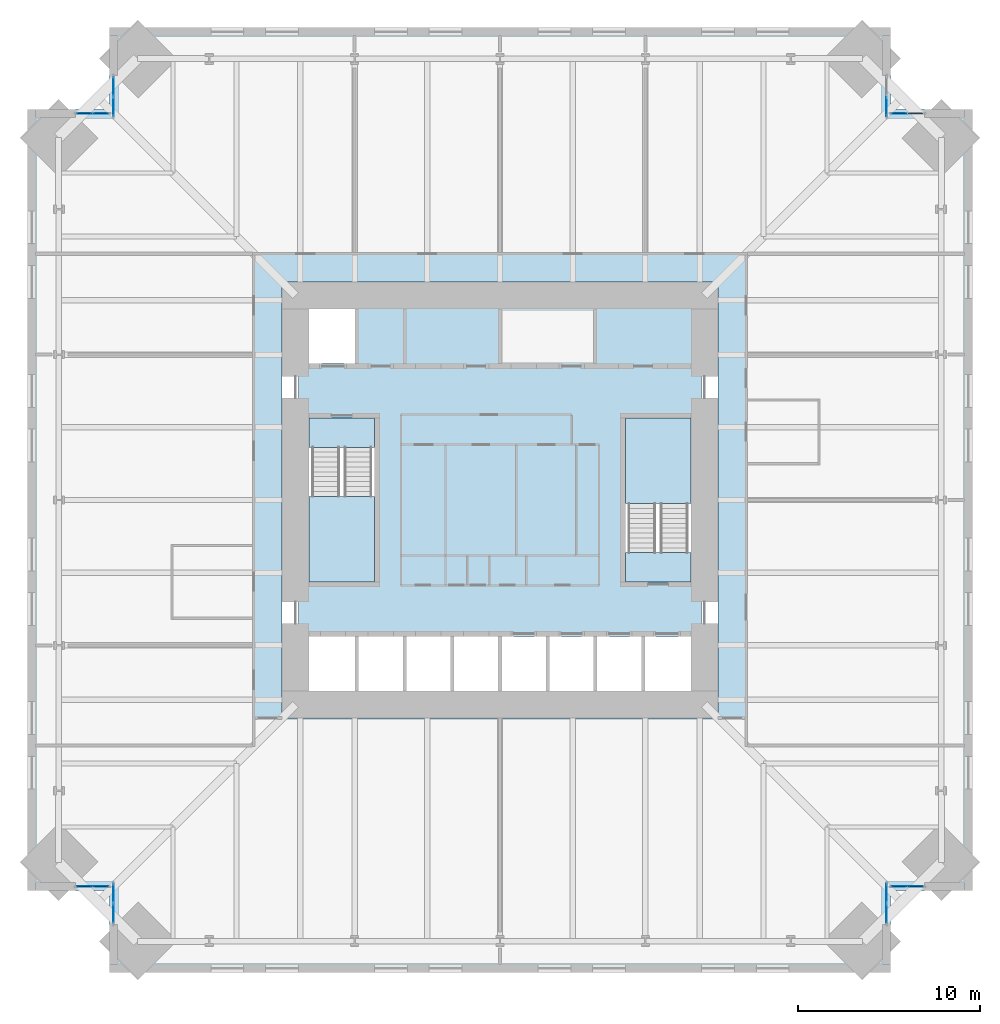
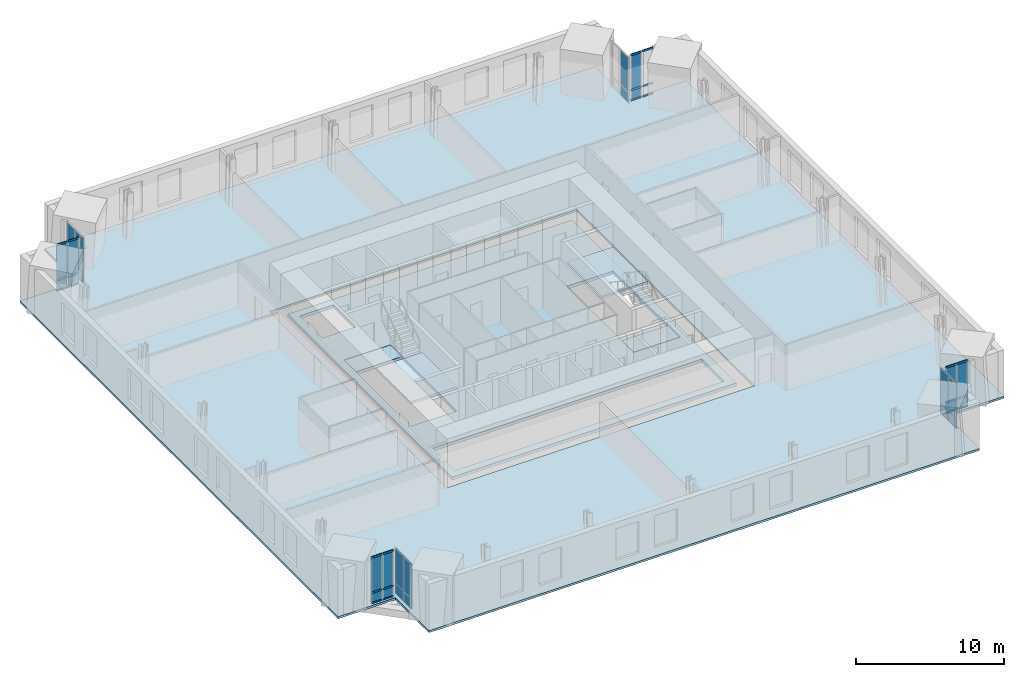
# One storey, part 12 of 18: 28 plates, 24 members, 6 slabs, 10 elements without a shape of their own.
"""IFC4 building model written with IfcOpenShell, lengths in metres."""

from ifc_helpers import new_model, si_unit, direction, frame, origin, origin_2d, place, context, subcontext, project, spatial, polyline, rectangle, hollow_rectangle, outline, extrude, material, layer, layer_set, material_profile, profile_set, type_object, element, aggregate, save


model = new_model("IFC4")

# Units and contexts
model_context = context("Model", 3, precision=1e-05, world=origin(), true_north=direction((0.0, 1.0)))
body_context = subcontext(model_context, "Body", "Model", "MODEL_VIEW")
ifc_project = project(units=[si_unit("LENGTHUNIT", "METRE"), si_unit("AREAUNIT", "SQUARE_METRE"), si_unit("VOLUMEUNIT", "CUBIC_METRE"), si_unit("PLANEANGLEUNIT", "RADIAN"), si_unit("MASSUNIT", "GRAM", prefix="KILO")], contexts=[model_context])

# Site, building, storey
site_placement = place(None, origin())
site = spatial("IfcSite", under=ifc_project, at=site_placement, CompositionType="ELEMENT")
building_placement = place(site_placement, origin())
building = spatial("IfcBuilding", under=site, at=building_placement, Name="Peilmerk Tower", CompositionType="ELEMENT")
storey_placement = place(building_placement, frame((0.0, 0.0, 163.800048828125)))
storey = spatial("IfcBuildingStorey", under=building, at=storey_placement, Name="L34", CompositionType="ELEMENT", Elevation=163.800048828125)

# Curtain wall, members
ifc_material_1 = material(Name="Aluminium stick curtain wall", Category="aluminium")
curtain_wall_type = type_object("IfcCurtainWallType", Name="CW3 stick curtain wall, 2250 module", PredefinedType="NOTDEFINED", material=ifc_material_1)
curtain_wall_1_placement = place(storey_placement, origin())
curtain_wall_1 = element("IfcCurtainWall", 1, at=curtain_wall_1_placement, inside=storey, type_object=curtain_wall_type, Name="Curtain wall CW3 NEB L34", PredefinedType="NOTDEFINED")
ifc_material_2 = material(Name="Aluminium EN AW-6063 T6", Category="aluminium")
ifc_material_profile = material_profile(ifc_material_2, hollow_rectangle(XDim=0.06494140625, YDim=0.14990234375, WallThickness=0.0029296875, at=origin_2d()), Name="AL 150x65x3")
ifc_profile_set = profile_set([ifc_material_profile], Name="Aluminium EN AW-6063 T6")
member_type = type_object("IfcMemberType", Name="CW3-T AL 150x65x3 transom", PredefinedType="USERDEFINED", material=ifc_profile_set)
member_1_placement = place(storey_placement, frame((21.56494140625, 21.27490234375, 0.032470703125), z_axis=(1.0, 0.0, 0.0), x_axis=(0.0, 1.0, 0.0)))
member_1 = element("IfcMember", 2, at=member_1_placement, type_object=member_type, Name="CW3 transom 1.1", ObjectType="TRANSOM", PredefinedType="USERDEFINED", context=body_context, shape_type="SweptSolid", body=[
    extrude(hollow_rectangle(XDim=0.06494140625, YDim=0.14990234375, WallThickness=0.0029296875, at=origin_2d()), origin(), (0.0, 0.0, 1.0), 0.82177734375),
])
member_2_placement = place(storey_placement, frame((21.56494140625, 21.27490234375, 0.89990234375), z_axis=(1.0, 0.0, 0.0), x_axis=(0.0, 1.0, 0.0)))
member_2 = element("IfcMember", 3, at=member_2_placement, type_object=member_type, Name="CW3 transom 1.2", ObjectType="TRANSOM", PredefinedType="USERDEFINED", context=body_context, shape_type="SweptSolid", body=[
    extrude(hollow_rectangle(XDim=0.06494140625, YDim=0.14990234375, WallThickness=0.0029296875, at=origin_2d()), origin(), (0.0, 0.0, 1.0), 0.82177734375),
])
member_3_placement = place(storey_placement, frame((21.56494140625, 21.27490234375, 3.79736328125), z_axis=(1.0, 0.0, 0.0), x_axis=(0.0, 1.0, 0.0)))
member_3 = element("IfcMember", 4, at=member_3_placement, type_object=member_type, Name="CW3 transom 1.3", ObjectType="TRANSOM", PredefinedType="USERDEFINED", context=body_context, shape_type="SweptSolid", body=[
    extrude(hollow_rectangle(XDim=0.06494140625, YDim=0.14990234375, WallThickness=0.0029296875, at=origin_2d()), origin(), (0.0, 0.0, 1.0), 0.82177734375),
])
member_4_placement = place(storey_placement, frame((22.451904296875, 21.27490234375, 0.032470703125), z_axis=(1.0, 0.0, 0.0), x_axis=(0.0, 1.0, 0.0)))
member_4 = element("IfcMember", 5, at=member_4_placement, type_object=member_type, Name="CW3 transom 2.1", ObjectType="TRANSOM", PredefinedType="USERDEFINED", context=body_context, shape_type="SweptSolid", body=[
    extrude(hollow_rectangle(XDim=0.06494140625, YDim=0.14990234375, WallThickness=0.0029296875, at=origin_2d()), origin(), (0.0, 0.0, 1.0), 0.82177734375),
])
member_5_placement = place(storey_placement, frame((22.451904296875, 21.27490234375, 0.89990234375), z_axis=(1.0, 0.0, 0.0), x_axis=(0.0, 1.0, 0.0)))
member_5 = element("IfcMember", 6, at=member_5_placement, type_object=member_type, Name="CW3 transom 2.2", ObjectType="TRANSOM", PredefinedType="USERDEFINED", context=body_context, shape_type="SweptSolid", body=[
    extrude(hollow_rectangle(XDim=0.06494140625, YDim=0.14990234375, WallThickness=0.0029296875, at=origin_2d()), origin(), (0.0, 0.0, 1.0), 0.82177734375),
])
member_6_placement = place(storey_placement, frame((22.451904296875, 21.27490234375, 3.79736328125), z_axis=(1.0, 0.0, 0.0), x_axis=(0.0, 1.0, 0.0)))
member_6 = element("IfcMember", 7, at=member_6_placement, type_object=member_type, Name="CW3 transom 2.3", ObjectType="TRANSOM", PredefinedType="USERDEFINED", context=body_context, shape_type="SweptSolid", body=[
    extrude(hollow_rectangle(XDim=0.06494140625, YDim=0.14990234375, WallThickness=0.0029296875, at=origin_2d()), origin(), (0.0, 0.0, 1.0), 0.82177734375),
])

curtain_wall_2_placement = place(storey_placement, origin())
curtain_wall_2 = element("IfcCurtainWall", 8, at=curtain_wall_2_placement, inside=storey, type_object=curtain_wall_type, Name="Curtain wall CW3 SEB L34", PredefinedType="NOTDEFINED")
member_7_placement = place(storey_placement, frame((21.56494140625, -21.27490234375, 0.032470703125), z_axis=(1.0, 0.0, 0.0), x_axis=(0.0, 1.0, 0.0)))
member_7 = element("IfcMember", 9, at=member_7_placement, type_object=member_type, Name="CW3 transom 1.1", ObjectType="TRANSOM", PredefinedType="USERDEFINED", context=body_context, shape_type="SweptSolid", body=[
    extrude(hollow_rectangle(XDim=0.06494140625, YDim=0.14990234375, WallThickness=0.0029296875, at=origin_2d()), origin(), (0.0, 0.0, 1.0), 0.82177734375),
])
member_8_placement = place(storey_placement, frame((21.56494140625, -21.27490234375, 0.89990234375), z_axis=(1.0, 0.0, 0.0), x_axis=(0.0, 1.0, 0.0)))
member_8 = element("IfcMember", 10, at=member_8_placement, type_object=member_type, Name="CW3 transom 1.2", ObjectType="TRANSOM", PredefinedType="USERDEFINED", context=body_context, shape_type="SweptSolid", body=[
    extrude(hollow_rectangle(XDim=0.06494140625, YDim=0.14990234375, WallThickness=0.0029296875, at=origin_2d()), origin(), (0.0, 0.0, 1.0), 0.82177734375),
])
member_9_placement = place(storey_placement, frame((21.56494140625, -21.27490234375, 3.79736328125), z_axis=(1.0, 0.0, 0.0), x_axis=(0.0, 1.0, 0.0)))
member_9 = element("IfcMember", 11, at=member_9_placement, type_object=member_type, Name="CW3 transom 1.3", ObjectType="TRANSOM", PredefinedType="USERDEFINED", context=body_context, shape_type="SweptSolid", body=[
    extrude(hollow_rectangle(XDim=0.06494140625, YDim=0.14990234375, WallThickness=0.0029296875, at=origin_2d()), origin(), (0.0, 0.0, 1.0), 0.82177734375),
])
member_10_placement = place(storey_placement, frame((22.451904296875, -21.27490234375, 0.032470703125), z_axis=(1.0, 0.0, 0.0), x_axis=(0.0, 1.0, 0.0)))
member_10 = element("IfcMember", 12, at=member_10_placement, type_object=member_type, Name="CW3 transom 2.1", ObjectType="TRANSOM", PredefinedType="USERDEFINED", context=body_context, shape_type="SweptSolid", body=[
    extrude(hollow_rectangle(XDim=0.06494140625, YDim=0.14990234375, WallThickness=0.0029296875, at=origin_2d()), origin(), (0.0, 0.0, 1.0), 0.82177734375),
])
member_11_placement = place(storey_placement, frame((22.451904296875, -21.27490234375, 0.89990234375), z_axis=(1.0, 0.0, 0.0), x_axis=(0.0, 1.0, 0.0)))
member_11 = element("IfcMember", 13, at=member_11_placement, type_object=member_type, Name="CW3 transom 2.2", ObjectType="TRANSOM", PredefinedType="USERDEFINED", context=body_context, shape_type="SweptSolid", body=[
    extrude(hollow_rectangle(XDim=0.06494140625, YDim=0.14990234375, WallThickness=0.0029296875, at=origin_2d()), origin(), (0.0, 0.0, 1.0), 0.82177734375),
])
member_12_placement = place(storey_placement, frame((22.451904296875, -21.27490234375, 3.79736328125), z_axis=(1.0, 0.0, 0.0), x_axis=(0.0, 1.0, 0.0)))
member_12 = element("IfcMember", 14, at=member_12_placement, type_object=member_type, Name="CW3 transom 2.3", ObjectType="TRANSOM", PredefinedType="USERDEFINED", context=body_context, shape_type="SweptSolid", body=[
    extrude(hollow_rectangle(XDim=0.06494140625, YDim=0.14990234375, WallThickness=0.0029296875, at=origin_2d()), origin(), (0.0, 0.0, 1.0), 0.82177734375),
])

curtain_wall_3_placement = place(storey_placement, origin())
curtain_wall_3 = element("IfcCurtainWall", 15, at=curtain_wall_3_placement, inside=storey, type_object=curtain_wall_type, Name="Curtain wall CW3 SWB L34", PredefinedType="NOTDEFINED")
member_13_placement = place(storey_placement, frame((-21.56494140625, -21.27490234375, 0.032470703125), z_axis=(-1.0, 0.0, 0.0), x_axis=(0.0, -1.0, 0.0)))
member_13 = element("IfcMember", 16, at=member_13_placement, type_object=member_type, Name="CW3 transom 1.1", ObjectType="TRANSOM", PredefinedType="USERDEFINED", context=body_context, shape_type="SweptSolid", body=[
    extrude(hollow_rectangle(XDim=0.06494140625, YDim=0.14990234375, WallThickness=0.0029296875, at=origin_2d()), origin(), (0.0, 0.0, 1.0), 0.82177734375),
])
member_14_placement = place(storey_placement, frame((-21.56494140625, -21.27490234375, 0.89990234375), z_axis=(-1.0, 0.0, 0.0), x_axis=(0.0, -1.0, 0.0)))
member_14 = element("IfcMember", 17, at=member_14_placement, type_object=member_type, Name="CW3 transom 1.2", ObjectType="TRANSOM", PredefinedType="USERDEFINED", context=body_context, shape_type="SweptSolid", body=[
    extrude(hollow_rectangle(XDim=0.06494140625, YDim=0.14990234375, WallThickness=0.0029296875, at=origin_2d()), origin(), (0.0, 0.0, 1.0), 0.82177734375),
])
member_15_placement = place(storey_placement, frame((-21.56494140625, -21.27490234375, 3.79736328125), z_axis=(-1.0, 0.0, 0.0), x_axis=(0.0, -1.0, 0.0)))
member_15 = element("IfcMember", 18, at=member_15_placement, type_object=member_type, Name="CW3 transom 1.3", ObjectType="TRANSOM", PredefinedType="USERDEFINED", context=body_context, shape_type="SweptSolid", body=[
    extrude(hollow_rectangle(XDim=0.06494140625, YDim=0.14990234375, WallThickness=0.0029296875, at=origin_2d()), origin(), (0.0, 0.0, 1.0), 0.82177734375),
])
member_16_placement = place(storey_placement, frame((-22.451904296875, -21.27490234375, 0.032470703125), z_axis=(-1.0, 0.0, 0.0), x_axis=(0.0, -1.0, 0.0)))
member_16 = element("IfcMember", 19, at=member_16_placement, type_object=member_type, Name="CW3 transom 2.1", ObjectType="TRANSOM", PredefinedType="USERDEFINED", context=body_context, shape_type="SweptSolid", body=[
    extrude(hollow_rectangle(XDim=0.06494140625, YDim=0.14990234375, WallThickness=0.0029296875, at=origin_2d()), origin(), (0.0, 0.0, 1.0), 0.82177734375),
])
member_17_placement = place(storey_placement, frame((-22.451904296875, -21.27490234375, 0.89990234375), z_axis=(-1.0, 0.0, 0.0), x_axis=(0.0, -1.0, 0.0)))
member_17 = element("IfcMember", 20, at=member_17_placement, type_object=member_type, Name="CW3 transom 2.2", ObjectType="TRANSOM", PredefinedType="USERDEFINED", context=body_context, shape_type="SweptSolid", body=[
    extrude(hollow_rectangle(XDim=0.06494140625, YDim=0.14990234375, WallThickness=0.0029296875, at=origin_2d()), origin(), (0.0, 0.0, 1.0), 0.82177734375),
])
member_18_placement = place(storey_placement, frame((-22.451904296875, -21.27490234375, 3.79736328125), z_axis=(-1.0, 0.0, 0.0), x_axis=(0.0, -1.0, 0.0)))
member_18 = element("IfcMember", 21, at=member_18_placement, type_object=member_type, Name="CW3 transom 2.3", ObjectType="TRANSOM", PredefinedType="USERDEFINED", context=body_context, shape_type="SweptSolid", body=[
    extrude(hollow_rectangle(XDim=0.06494140625, YDim=0.14990234375, WallThickness=0.0029296875, at=origin_2d()), origin(), (0.0, 0.0, 1.0), 0.82177734375),
])

curtain_wall_4_placement = place(storey_placement, origin())
curtain_wall_4 = element("IfcCurtainWall", 22, at=curtain_wall_4_placement, inside=storey, type_object=curtain_wall_type, Name="Curtain wall CW3 NWB L34", PredefinedType="NOTDEFINED")
member_19_placement = place(storey_placement, frame((-21.56494140625, 21.27490234375, 0.032470703125), z_axis=(-1.0, 0.0, 0.0), x_axis=(0.0, -1.0, 0.0)))
member_19 = element("IfcMember", 23, at=member_19_placement, type_object=member_type, Name="CW3 transom 1.1", ObjectType="TRANSOM", PredefinedType="USERDEFINED", context=body_context, shape_type="SweptSolid", body=[
    extrude(hollow_rectangle(XDim=0.06494140625, YDim=0.14990234375, WallThickness=0.0029296875, at=origin_2d()), origin(), (0.0, 0.0, 1.0), 0.82177734375),
])
member_20_placement = place(storey_placement, frame((-21.56494140625, 21.27490234375, 0.89990234375), z_axis=(-1.0, 0.0, 0.0), x_axis=(0.0, -1.0, 0.0)))
member_20 = element("IfcMember", 24, at=member_20_placement, type_object=member_type, Name="CW3 transom 1.2", ObjectType="TRANSOM", PredefinedType="USERDEFINED", context=body_context, shape_type="SweptSolid", body=[
    extrude(hollow_rectangle(XDim=0.06494140625, YDim=0.14990234375, WallThickness=0.0029296875, at=origin_2d()), origin(), (0.0, 0.0, 1.0), 0.82177734375),
])
member_21_placement = place(storey_placement, frame((-21.56494140625, 21.27490234375, 3.79736328125), z_axis=(-1.0, 0.0, 0.0), x_axis=(0.0, -1.0, 0.0)))
member_21 = element("IfcMember", 25, at=member_21_placement, type_object=member_type, Name="CW3 transom 1.3", ObjectType="TRANSOM", PredefinedType="USERDEFINED", context=body_context, shape_type="SweptSolid", body=[
    extrude(hollow_rectangle(XDim=0.06494140625, YDim=0.14990234375, WallThickness=0.0029296875, at=origin_2d()), origin(), (0.0, 0.0, 1.0), 0.82177734375),
])
member_22_placement = place(storey_placement, frame((-22.451904296875, 21.27490234375, 0.032470703125), z_axis=(-1.0, 0.0, 0.0), x_axis=(0.0, -1.0, 0.0)))
member_22 = element("IfcMember", 26, at=member_22_placement, type_object=member_type, Name="CW3 transom 2.1", ObjectType="TRANSOM", PredefinedType="USERDEFINED", context=body_context, shape_type="SweptSolid", body=[
    extrude(hollow_rectangle(XDim=0.06494140625, YDim=0.14990234375, WallThickness=0.0029296875, at=origin_2d()), origin(), (0.0, 0.0, 1.0), 0.82177734375),
])
member_23_placement = place(storey_placement, frame((-22.451904296875, 21.27490234375, 0.89990234375), z_axis=(-1.0, 0.0, 0.0), x_axis=(0.0, -1.0, 0.0)))
member_23 = element("IfcMember", 27, at=member_23_placement, type_object=member_type, Name="CW3 transom 2.2", ObjectType="TRANSOM", PredefinedType="USERDEFINED", context=body_context, shape_type="SweptSolid", body=[
    extrude(hollow_rectangle(XDim=0.06494140625, YDim=0.14990234375, WallThickness=0.0029296875, at=origin_2d()), origin(), (0.0, 0.0, 1.0), 0.82177734375),
])
member_24_placement = place(storey_placement, frame((-22.451904296875, 21.27490234375, 3.79736328125), z_axis=(-1.0, 0.0, 0.0), x_axis=(0.0, -1.0, 0.0)))
member_24 = element("IfcMember", 28, at=member_24_placement, type_object=member_type, Name="CW3 transom 2.3", ObjectType="TRANSOM", PredefinedType="USERDEFINED", context=body_context, shape_type="SweptSolid", body=[
    extrude(hollow_rectangle(XDim=0.06494140625, YDim=0.14990234375, WallThickness=0.0029296875, at=origin_2d()), origin(), (0.0, 0.0, 1.0), 0.82177734375),
])

# Slab
ifc_material_3 = material(Name="Concrete C55/67", Category="concrete")
ifc_layer_1 = layer(ifc_material_3, 0.25)
ifc_layer_set_1 = layer_set([ifc_layer_1], Name="Concrete C55/67")
slab_type_1 = type_object("IfcSlabType", Name="CS250 250 core floor slab", PredefinedType="FLOOR", material=ifc_layer_set_1)
slab_1_placement = place(storey_placement, frame((0.0, 0.0, -0.25)))
element("IfcSlab", 29, at=slab_1_placement, inside=storey, type_object=slab_type_1, Name="Core slab L34", PredefinedType="FLOOR", context=body_context, shape_type="SweptSolid", body=[
    extrude(outline(polyline([(11.10009765625, 11.10009765625), (-11.10009765625, 11.10009765625), (-11.10009765625, -11.10009765625), (11.10009765625, -11.10009765625), (11.10009765625, 11.10009765625)]), holes=[polyline([(-10.5, 7.5), (-10.5, 10.5), (-7.875, 10.5), (-7.875, 7.5), (-10.5, 7.5)]), polyline([(-10.5, -10.5), (-10.5, -7.5), (10.5, -7.5), (10.5, -10.5), (-10.5, -10.5)]), polyline([(-10.5, 4.5), (-6.89990234375, 4.5), (-6.89990234375, -4.5), (-10.5, -4.5), (-10.5, 4.5)]), polyline([(10.5, 4.5), (10.5, -4.5), (6.89990234375, -4.5), (6.89990234375, 4.5), (10.5, 4.5)])]), origin(), (0.0, 0.0, 1.0), 0.25),
])

# Curtain wall, plates
curtain_wall_5_placement = place(storey_placement, origin())
curtain_wall_5 = element("IfcCurtainWall", 30, at=curtain_wall_5_placement, inside=storey, type_object=curtain_wall_type, Name="Curtain wall CW3 NEA L34", PredefinedType="NOTDEFINED")
ifc_material_4 = material(Name="Clear insulated glazing unit", Category="glass")
ifc_layer_2 = layer(ifc_material_4, 0.028076171875)
ifc_layer_set_2 = layer_set([ifc_layer_2], Name="Clear insulated glazing unit")
plate_type = type_object("IfcPlateType", Name="CW3-P 28 glazed panel", PredefinedType="CURTAIN_PANEL", material=ifc_layer_set_2)
plate_1_placement = place(storey_placement, frame((21.27490234375, 21.638427734375, 0.06494140625), z_axis=(0.0, 0.0, 1.0), x_axis=(0.0, 1.0, 0.0)))
plate_1 = element("IfcPlate", 31, at=plate_1_placement, type_object=plate_type, Name="CW3 panel 1.1", PredefinedType="CURTAIN_PANEL", context=body_context, shape_type="SweptSolid", body=[
    extrude(rectangle(XDim=1.046875, YDim=0.028076171875, at=origin_2d()), origin(), (0.0, 0.0, 1.0), 0.802490234375),
])
plate_2_placement = place(storey_placement, frame((21.27490234375, 21.638427734375, 0.932373046875), z_axis=(0.0, 0.0, 1.0), x_axis=(0.0, 1.0, 0.0)))
plate_2 = element("IfcPlate", 32, at=plate_2_placement, type_object=plate_type, Name="CW3 panel 1.2", PredefinedType="CURTAIN_PANEL", context=body_context, shape_type="SweptSolid", body=[
    extrude(rectangle(XDim=1.046875, YDim=0.028076171875, at=origin_2d()), origin(), (0.0, 0.0, 1.0), 2.83251953125),
])
aggregate(curtain_wall_5, [plate_1, plate_2])

# Plate
plate_3_placement = place(storey_placement, frame((21.975830078125, 21.27490234375, 0.06494140625), z_axis=(0.0, 0.0, 1.0), x_axis=(1.0, 0.0, 0.0)))
plate_3 = element("IfcPlate", 33, at=plate_3_placement, type_object=plate_type, Name="CW3 panel 1.1", PredefinedType="CURTAIN_PANEL", context=body_context, shape_type="SweptSolid", body=[
    extrude(rectangle(XDim=0.82177734375, YDim=0.028076171875, at=origin_2d()), origin(), (0.0, 0.0, 1.0), 0.802490234375),
])

plate_4_placement = place(storey_placement, frame((21.975830078125, 21.27490234375, 0.932373046875), z_axis=(0.0, 0.0, 1.0), x_axis=(1.0, 0.0, 0.0)))
plate_4 = element("IfcPlate", 34, at=plate_4_placement, type_object=plate_type, Name="CW3 panel 1.2", PredefinedType="CURTAIN_PANEL", context=body_context, shape_type="SweptSolid", body=[
    extrude(rectangle(XDim=0.82177734375, YDim=0.028076171875, at=origin_2d()), origin(), (0.0, 0.0, 1.0), 2.83251953125),
])

aggregate(curtain_wall_1, [member_1, member_2, member_3, plate_3, plate_4, member_4, member_5, member_6])

# Curtain wall, plates
curtain_wall_6_placement = place(storey_placement, origin())
curtain_wall_6 = element("IfcCurtainWall", 35, at=curtain_wall_6_placement, inside=storey, type_object=curtain_wall_type, Name="Curtain wall CW3 SEA L34", PredefinedType="NOTDEFINED")
plate_5_placement = place(storey_placement, frame((21.27490234375, -21.638427734375, 0.06494140625), z_axis=(0.0, 0.0, 1.0), x_axis=(0.0, -1.0, 0.0)))
plate_5 = element("IfcPlate", 36, at=plate_5_placement, type_object=plate_type, Name="CW3 panel 1.1", PredefinedType="CURTAIN_PANEL", context=body_context, shape_type="SweptSolid", body=[
    extrude(rectangle(XDim=1.046875, YDim=0.028076171875, at=origin_2d()), origin(), (0.0, 0.0, 1.0), 0.802490234375),
])
plate_6_placement = place(storey_placement, frame((21.27490234375, -21.638427734375, 0.932373046875), z_axis=(0.0, 0.0, 1.0), x_axis=(0.0, -1.0, 0.0)))
plate_6 = element("IfcPlate", 37, at=plate_6_placement, type_object=plate_type, Name="CW3 panel 1.2", PredefinedType="CURTAIN_PANEL", context=body_context, shape_type="SweptSolid", body=[
    extrude(rectangle(XDim=1.046875, YDim=0.028076171875, at=origin_2d()), origin(), (0.0, 0.0, 1.0), 2.83251953125),
])
plate_7_placement = place(storey_placement, frame((21.27490234375, -22.750244140625, 0.06494140625), z_axis=(0.0, 0.0, 1.0), x_axis=(0.0, -1.0, 0.0)))
plate_7 = element("IfcPlate", 38, at=plate_7_placement, type_object=plate_type, Name="CW3 panel 2.1", PredefinedType="CURTAIN_PANEL", context=body_context, shape_type="SweptSolid", body=[
    extrude(rectangle(XDim=1.046875, YDim=0.028076171875, at=origin_2d()), origin(), (0.0, 0.0, 1.0), 0.802490234375),
])
plate_8_placement = place(storey_placement, frame((21.27490234375, -22.750244140625, 0.932373046875), z_axis=(0.0, 0.0, 1.0), x_axis=(0.0, -1.0, 0.0)))
plate_8 = element("IfcPlate", 39, at=plate_8_placement, type_object=plate_type, Name="CW3 panel 2.2", PredefinedType="CURTAIN_PANEL", context=body_context, shape_type="SweptSolid", body=[
    extrude(rectangle(XDim=1.046875, YDim=0.028076171875, at=origin_2d()), origin(), (0.0, 0.0, 1.0), 2.83251953125),
])
aggregate(curtain_wall_6, [plate_5, plate_6, plate_7, plate_8])

# Plate
plate_9_placement = place(storey_placement, frame((21.975830078125, -21.27490234375, 0.06494140625), z_axis=(0.0, 0.0, 1.0), x_axis=(1.0, 0.0, 0.0)))
plate_9 = element("IfcPlate", 40, at=plate_9_placement, type_object=plate_type, Name="CW3 panel 1.1", PredefinedType="CURTAIN_PANEL", context=body_context, shape_type="SweptSolid", body=[
    extrude(rectangle(XDim=0.82177734375, YDim=0.028076171875, at=origin_2d()), origin(), (0.0, 0.0, 1.0), 0.802490234375),
])

plate_10_placement = place(storey_placement, frame((21.975830078125, -21.27490234375, 0.932373046875), z_axis=(0.0, 0.0, 1.0), x_axis=(1.0, 0.0, 0.0)))
plate_10 = element("IfcPlate", 41, at=plate_10_placement, type_object=plate_type, Name="CW3 panel 1.2", PredefinedType="CURTAIN_PANEL", context=body_context, shape_type="SweptSolid", body=[
    extrude(rectangle(XDim=0.82177734375, YDim=0.028076171875, at=origin_2d()), origin(), (0.0, 0.0, 1.0), 2.83251953125),
])

plate_11_placement = place(storey_placement, frame((22.86279296875, -21.27490234375, 0.06494140625), z_axis=(0.0, 0.0, 1.0), x_axis=(1.0, 0.0, 0.0)))
plate_11 = element("IfcPlate", 42, at=plate_11_placement, type_object=plate_type, Name="CW3 panel 2.1", PredefinedType="CURTAIN_PANEL", context=body_context, shape_type="SweptSolid", body=[
    extrude(rectangle(XDim=0.82177734375, YDim=0.028076171875, at=origin_2d()), origin(), (0.0, 0.0, 1.0), 0.802490234375),
])

plate_12_placement = place(storey_placement, frame((22.86279296875, -21.27490234375, 0.932373046875), z_axis=(0.0, 0.0, 1.0), x_axis=(1.0, 0.0, 0.0)))
plate_12 = element("IfcPlate", 43, at=plate_12_placement, type_object=plate_type, Name="CW3 panel 2.2", PredefinedType="CURTAIN_PANEL", context=body_context, shape_type="SweptSolid", body=[
    extrude(rectangle(XDim=0.82177734375, YDim=0.028076171875, at=origin_2d()), origin(), (0.0, 0.0, 1.0), 2.83251953125),
])

aggregate(curtain_wall_2, [member_7, member_8, member_9, plate_9, plate_10, member_10, member_11, member_12, plate_11, plate_12])

# Curtain wall, plates
curtain_wall_7_placement = place(storey_placement, origin())
curtain_wall_7 = element("IfcCurtainWall", 44, at=curtain_wall_7_placement, inside=storey, type_object=curtain_wall_type, Name="Curtain wall CW3 SWA L34", PredefinedType="NOTDEFINED")
plate_13_placement = place(storey_placement, frame((-21.27490234375, -21.638427734375, 0.06494140625), z_axis=(0.0, 0.0, 1.0), x_axis=(0.0, -1.0, 0.0)))
plate_13 = element("IfcPlate", 45, at=plate_13_placement, type_object=plate_type, Name="CW3 panel 1.1", PredefinedType="CURTAIN_PANEL", context=body_context, shape_type="SweptSolid", body=[
    extrude(rectangle(XDim=1.046875, YDim=0.028076171875, at=origin_2d()), origin(), (0.0, 0.0, 1.0), 0.802490234375),
])
plate_14_placement = place(storey_placement, frame((-21.27490234375, -21.638427734375, 0.932373046875), z_axis=(0.0, 0.0, 1.0), x_axis=(0.0, -1.0, 0.0)))
plate_14 = element("IfcPlate", 46, at=plate_14_placement, type_object=plate_type, Name="CW3 panel 1.2", PredefinedType="CURTAIN_PANEL", context=body_context, shape_type="SweptSolid", body=[
    extrude(rectangle(XDim=1.046875, YDim=0.028076171875, at=origin_2d()), origin(), (0.0, 0.0, 1.0), 2.83251953125),
])
plate_15_placement = place(storey_placement, frame((-21.27490234375, -22.750244140625, 0.06494140625), z_axis=(0.0, 0.0, 1.0), x_axis=(0.0, -1.0, 0.0)))
plate_15 = element("IfcPlate", 47, at=plate_15_placement, type_object=plate_type, Name="CW3 panel 2.1", PredefinedType="CURTAIN_PANEL", context=body_context, shape_type="SweptSolid", body=[
    extrude(rectangle(XDim=1.046875, YDim=0.028076171875, at=origin_2d()), origin(), (0.0, 0.0, 1.0), 0.802490234375),
])
plate_16_placement = place(storey_placement, frame((-21.27490234375, -22.750244140625, 0.932373046875), z_axis=(0.0, 0.0, 1.0), x_axis=(0.0, -1.0, 0.0)))
plate_16 = element("IfcPlate", 48, at=plate_16_placement, type_object=plate_type, Name="CW3 panel 2.2", PredefinedType="CURTAIN_PANEL", context=body_context, shape_type="SweptSolid", body=[
    extrude(rectangle(XDim=1.046875, YDim=0.028076171875, at=origin_2d()), origin(), (0.0, 0.0, 1.0), 2.83251953125),
])
aggregate(curtain_wall_7, [plate_13, plate_14, plate_15, plate_16])

# Plate
plate_17_placement = place(storey_placement, frame((-21.975830078125, -21.27490234375, 0.06494140625), z_axis=(0.0, 0.0, 1.0), x_axis=(-1.0, 0.0, 0.0)))
plate_17 = element("IfcPlate", 49, at=plate_17_placement, type_object=plate_type, Name="CW3 panel 1.1", PredefinedType="CURTAIN_PANEL", context=body_context, shape_type="SweptSolid", body=[
    extrude(rectangle(XDim=0.82177734375, YDim=0.028076171875, at=origin_2d()), origin(), (0.0, 0.0, 1.0), 0.802490234375),
])

plate_18_placement = place(storey_placement, frame((-21.975830078125, -21.27490234375, 0.932373046875), z_axis=(0.0, 0.0, 1.0), x_axis=(-1.0, 0.0, 0.0)))
plate_18 = element("IfcPlate", 50, at=plate_18_placement, type_object=plate_type, Name="CW3 panel 1.2", PredefinedType="CURTAIN_PANEL", context=body_context, shape_type="SweptSolid", body=[
    extrude(rectangle(XDim=0.82177734375, YDim=0.028076171875, at=origin_2d()), origin(), (0.0, 0.0, 1.0), 2.83251953125),
])

plate_19_placement = place(storey_placement, frame((-22.86279296875, -21.27490234375, 0.06494140625), z_axis=(0.0, 0.0, 1.0), x_axis=(-1.0, 0.0, 0.0)))
plate_19 = element("IfcPlate", 51, at=plate_19_placement, type_object=plate_type, Name="CW3 panel 2.1", PredefinedType="CURTAIN_PANEL", context=body_context, shape_type="SweptSolid", body=[
    extrude(rectangle(XDim=0.82177734375, YDim=0.028076171875, at=origin_2d()), origin(), (0.0, 0.0, 1.0), 0.802490234375),
])

plate_20_placement = place(storey_placement, frame((-22.86279296875, -21.27490234375, 0.932373046875), z_axis=(0.0, 0.0, 1.0), x_axis=(-1.0, 0.0, 0.0)))
plate_20 = element("IfcPlate", 52, at=plate_20_placement, type_object=plate_type, Name="CW3 panel 2.2", PredefinedType="CURTAIN_PANEL", context=body_context, shape_type="SweptSolid", body=[
    extrude(rectangle(XDim=0.82177734375, YDim=0.028076171875, at=origin_2d()), origin(), (0.0, 0.0, 1.0), 2.83251953125),
])

aggregate(curtain_wall_3, [member_13, member_14, member_15, plate_17, plate_18, member_16, member_17, member_18, plate_19, plate_20])

# Curtain wall, plates
curtain_wall_8_placement = place(storey_placement, origin())
curtain_wall_8 = element("IfcCurtainWall", 53, at=curtain_wall_8_placement, inside=storey, type_object=curtain_wall_type, Name="Curtain wall CW3 NWA L34", PredefinedType="NOTDEFINED")
plate_21_placement = place(storey_placement, frame((-21.27490234375, 21.638427734375, 0.06494140625), z_axis=(0.0, 0.0, 1.0), x_axis=(0.0, 1.0, 0.0)))
plate_21 = element("IfcPlate", 54, at=plate_21_placement, type_object=plate_type, Name="CW3 panel 1.1", PredefinedType="CURTAIN_PANEL", context=body_context, shape_type="SweptSolid", body=[
    extrude(rectangle(XDim=1.046875, YDim=0.028076171875, at=origin_2d()), origin(), (0.0, 0.0, 1.0), 0.802490234375),
])
plate_22_placement = place(storey_placement, frame((-21.27490234375, 21.638427734375, 0.932373046875), z_axis=(0.0, 0.0, 1.0), x_axis=(0.0, 1.0, 0.0)))
plate_22 = element("IfcPlate", 55, at=plate_22_placement, type_object=plate_type, Name="CW3 panel 1.2", PredefinedType="CURTAIN_PANEL", context=body_context, shape_type="SweptSolid", body=[
    extrude(rectangle(XDim=1.046875, YDim=0.028076171875, at=origin_2d()), origin(), (0.0, 0.0, 1.0), 2.83251953125),
])
plate_23_placement = place(storey_placement, frame((-21.27490234375, 22.750244140625, 0.06494140625), z_axis=(0.0, 0.0, 1.0), x_axis=(0.0, 1.0, 0.0)))
plate_23 = element("IfcPlate", 56, at=plate_23_placement, type_object=plate_type, Name="CW3 panel 2.1", PredefinedType="CURTAIN_PANEL", context=body_context, shape_type="SweptSolid", body=[
    extrude(rectangle(XDim=1.046875, YDim=0.028076171875, at=origin_2d()), origin(), (0.0, 0.0, 1.0), 0.802490234375),
])
plate_24_placement = place(storey_placement, frame((-21.27490234375, 22.750244140625, 0.932373046875), z_axis=(0.0, 0.0, 1.0), x_axis=(0.0, 1.0, 0.0)))
plate_24 = element("IfcPlate", 57, at=plate_24_placement, type_object=plate_type, Name="CW3 panel 2.2", PredefinedType="CURTAIN_PANEL", context=body_context, shape_type="SweptSolid", body=[
    extrude(rectangle(XDim=1.046875, YDim=0.028076171875, at=origin_2d()), origin(), (0.0, 0.0, 1.0), 2.83251953125),
])
aggregate(curtain_wall_8, [plate_21, plate_22, plate_23, plate_24])

# Plate
plate_25_placement = place(storey_placement, frame((-21.975830078125, 21.27490234375, 0.06494140625), z_axis=(0.0, 0.0, 1.0), x_axis=(-1.0, 0.0, 0.0)))
plate_25 = element("IfcPlate", 58, at=plate_25_placement, type_object=plate_type, Name="CW3 panel 1.1", PredefinedType="CURTAIN_PANEL", context=body_context, shape_type="SweptSolid", body=[
    extrude(rectangle(XDim=0.82177734375, YDim=0.028076171875, at=origin_2d()), origin(), (0.0, 0.0, 1.0), 0.802490234375),
])

plate_26_placement = place(storey_placement, frame((-21.975830078125, 21.27490234375, 0.932373046875), z_axis=(0.0, 0.0, 1.0), x_axis=(-1.0, 0.0, 0.0)))
plate_26 = element("IfcPlate", 59, at=plate_26_placement, type_object=plate_type, Name="CW3 panel 1.2", PredefinedType="CURTAIN_PANEL", context=body_context, shape_type="SweptSolid", body=[
    extrude(rectangle(XDim=0.82177734375, YDim=0.028076171875, at=origin_2d()), origin(), (0.0, 0.0, 1.0), 2.83251953125),
])

plate_27_placement = place(storey_placement, frame((-22.86279296875, 21.27490234375, 0.06494140625), z_axis=(0.0, 0.0, 1.0), x_axis=(-1.0, 0.0, 0.0)))
plate_27 = element("IfcPlate", 60, at=plate_27_placement, type_object=plate_type, Name="CW3 panel 2.1", PredefinedType="CURTAIN_PANEL", context=body_context, shape_type="SweptSolid", body=[
    extrude(rectangle(XDim=0.82177734375, YDim=0.028076171875, at=origin_2d()), origin(), (0.0, 0.0, 1.0), 0.802490234375),
])

plate_28_placement = place(storey_placement, frame((-22.86279296875, 21.27490234375, 0.932373046875), z_axis=(0.0, 0.0, 1.0), x_axis=(-1.0, 0.0, 0.0)))
plate_28 = element("IfcPlate", 61, at=plate_28_placement, type_object=plate_type, Name="CW3 panel 2.2", PredefinedType="CURTAIN_PANEL", context=body_context, shape_type="SweptSolid", body=[
    extrude(rectangle(XDim=0.82177734375, YDim=0.028076171875, at=origin_2d()), origin(), (0.0, 0.0, 1.0), 2.83251953125),
])

aggregate(curtain_wall_4, [member_19, member_20, member_21, plate_25, plate_26, member_22, member_23, member_24, plate_27, plate_28])

# Slab
ifc_material_5 = material(Name="Concrete C35/45", Category="concrete")
ifc_layer_3 = layer(ifc_material_5, 0.169921875)
ifc_layer_set_3 = layer_set([ifc_layer_3], Name="Concrete C35/45")
slab_type_2 = type_object("IfcSlabType", Name="FS170 170 composite floor slab", PredefinedType="FLOOR", material=ifc_layer_set_3)
slab_2_placement = place(storey_placement, frame((0.0, 0.0, -0.170166015625)))
element("IfcSlab", 62, at=slab_2_placement, inside=storey, type_object=slab_type_2, Name="Floor slab L34", PredefinedType="FLOOR", context=body_context, shape_type="SweptSolid", body=[
    extrude(outline(polyline([(-21.5, -26.0), (21.5, -26.0), (21.5, -21.5), (26.0, -21.5), (26.0, 21.5), (21.5, 21.5), (21.5, 26.0), (-21.5, 26.0), (-21.5, 21.5), (-26.0, 21.5), (-26.0, -21.5), (-21.5, -21.5), (-21.5, -26.0)]), holes=[polyline([(12.0, 12.0), (12.0, -12.0), (-12.0, -12.0), (-12.0, 12.0), (12.0, 12.0)])]), origin(), (0.0, 0.0, 1.0), 0.170166015625),
])

# Stair, slab
ifc_material_6 = material(Name="Precast concrete C45/55", Category="concrete")
stair_type_1 = type_object("IfcStairType", Name="ST1 22 risers of 181.8", PredefinedType="HALF_TURN_STAIR", material=ifc_material_6)
stair_1_placement = place(storey_placement, origin())
stair_1 = element("IfcStair", 63, at=stair_1_placement, inside=storey, type_object=stair_type_1, Name="Stair 1 L34 to L35", PredefinedType="HALF_TURN_STAIR")
ifc_layer_4 = layer(ifc_material_5, 0.199951171875)
ifc_layer_set_4 = layer_set([ifc_layer_4], Name="Concrete C35/45")
slab_type_3 = type_object("IfcSlabType", Name="SL1 200 concrete stair landing", PredefinedType="LANDING", material=ifc_layer_set_4)
slab_3_placement = place(storey_placement, frame((0.0, 0.0, 1.800048828125)))
slab_3 = element("IfcSlab", 64, at=slab_3_placement, type_object=slab_type_3, Name="ST1 landing 1", PredefinedType="LANDING", context=body_context, shape_type="SweptSolid", body=[
    extrude(outline(polyline([(-10.5, -4.5), (-6.89990234375, -4.5), (-6.89990234375, 0.199951171875), (-10.5, 0.199951171875), (-10.5, -4.5)])), origin(), (0.0, 0.0, 1.0), 0.199951171875),
])

stair_type_2 = type_object("IfcStairType", Name="ST2 22 risers of 181.8", PredefinedType="HALF_TURN_STAIR", material=ifc_material_6)
stair_2_placement = place(storey_placement, origin())
stair_2 = element("IfcStair", 65, at=stair_2_placement, inside=storey, type_object=stair_type_2, Name="Stair 2 L34 to L35", PredefinedType="HALF_TURN_STAIR")
slab_4_placement = place(storey_placement, frame((0.0, 0.0, 1.800048828125)))
slab_4 = element("IfcSlab", 66, at=slab_4_placement, type_object=slab_type_3, Name="ST2 landing 1", PredefinedType="LANDING", context=body_context, shape_type="SweptSolid", body=[
    extrude(outline(polyline([(6.89990234375, -0.199951171875), (10.5, -0.199951171875), (10.5, 4.5), (6.89990234375, 4.5), (6.89990234375, -0.199951171875)])), origin(), (0.0, 0.0, 1.0), 0.199951171875),
])

# Slab
ifc_layer_5 = layer(ifc_material_5, 0.25)
ifc_layer_set_5 = layer_set([ifc_layer_5], Name="Concrete C35/45")
slab_type_4 = type_object("IfcSlabType", Name="SL2 250 concrete floor landing", PredefinedType="LANDING", material=ifc_layer_set_5)
slab_5_placement = place(storey_placement, frame((0.0, 0.0, -0.25)))
slab_5 = element("IfcSlab", 67, at=slab_5_placement, type_object=slab_type_4, Name="ST1 floor landing", PredefinedType="LANDING", context=body_context, shape_type="SweptSolid", body=[
    extrude(outline(polyline([(-10.5, 2.89990234375), (-6.89990234375, 2.89990234375), (-6.89990234375, 4.5), (-10.5, 4.5), (-10.5, 2.89990234375)])), origin(), (0.0, 0.0, 1.0), 0.25),
])

aggregate(stair_1, [slab_3, slab_5])

slab_6_placement = place(storey_placement, frame((0.0, 0.0, -0.25)))
slab_6 = element("IfcSlab", 68, at=slab_6_placement, type_object=slab_type_4, Name="ST2 floor landing", PredefinedType="LANDING", context=body_context, shape_type="SweptSolid", body=[
    extrude(outline(polyline([(6.89990234375, -4.5), (10.5, -4.5), (10.5, -2.89990234375), (6.89990234375, -2.89990234375), (6.89990234375, -4.5)])), origin(), (0.0, 0.0, 1.0), 0.25),
])

aggregate(stair_2, [slab_4, slab_6])

save(model, "model.ifc")
